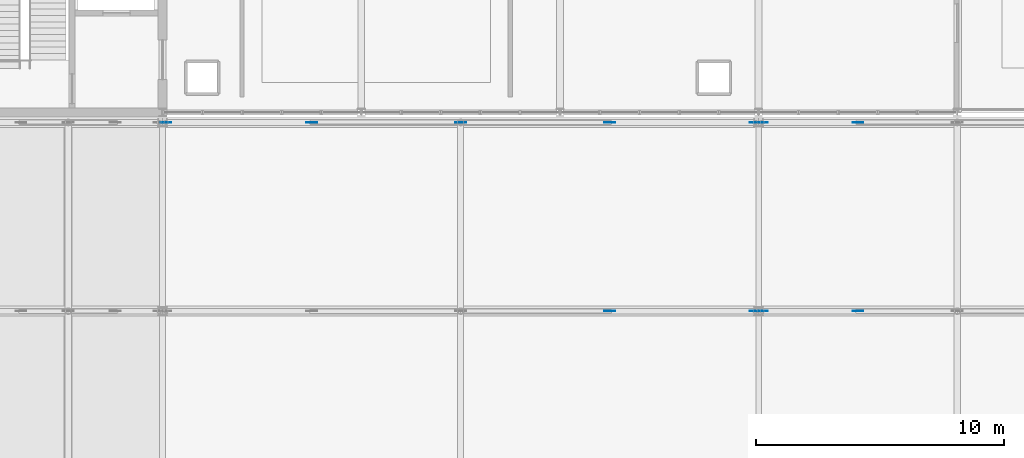
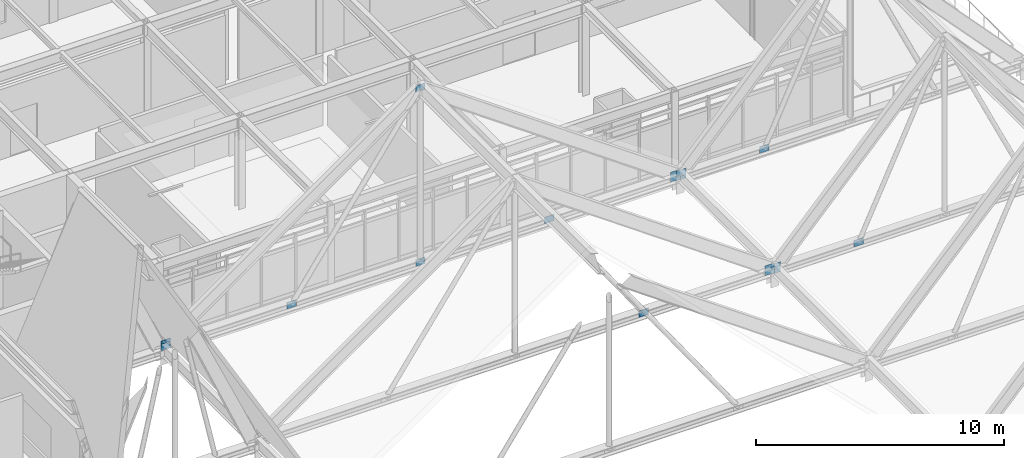
# One storey, part 80 of 100: 17 plates.
"""IFC4 building model written with IfcOpenShell, lengths in metres."""

from ifc_helpers import new_model, si_unit, direction, frame, origin, origin_2d, place, context, subcontext, project, spatial, rectangle, extrude, material, layer, layer_set, type_object, element, save


model = new_model("IFC4")

# Units and contexts
model_context = context("Model", 3, precision=1e-05, world=origin(), true_north=direction((0.0, 1.0)))
body_context = subcontext(model_context, "Body", "Model", "MODEL_VIEW")
ifc_project = project(units=[si_unit("LENGTHUNIT", "METRE"), si_unit("AREAUNIT", "SQUARE_METRE"), si_unit("VOLUMEUNIT", "CUBIC_METRE"), si_unit("PLANEANGLEUNIT", "RADIAN"), si_unit("MASSUNIT", "GRAM", prefix="KILO")], contexts=[model_context])

# Site, building, storey
site_placement = place(None, origin())
site = spatial("IfcSite", under=ifc_project, at=site_placement, CompositionType="ELEMENT")
building_placement = place(site_placement, origin())
building = spatial("IfcBuilding", under=site, at=building_placement, Name="Zulena Civic Courthouse", CompositionType="ELEMENT")
storey_placement = place(building_placement, frame((0.0, 0.0, 20.39990234375)))
storey = spatial("IfcBuildingStorey", under=building, at=storey_placement, Name="L04", CompositionType="ELEMENT", Elevation=20.39990234375)

# Plates
ifc_material = material(Name="Steel ASTM A572 Grade 50", Category="steel")
ifc_layer = layer(ifc_material, 0.02490234375)
ifc_layer_set = layer_set([ifc_layer], Name="Steel ASTM A572 Grade 50")
plate_type = type_object("IfcPlateType", Name="GussetPlate_440x320x25", PredefinedType="SHEET", material=ifc_layer_set)
for number, where, z_axis, x_axis, name in (
    (1, (155.860107421875, 22.800048828125, 0.37646484375), (0.0, 0.0, 1.0), (1.0, 0.0, 0.0), "plate:fd:postE:06:22.8:0"),
    (2, (155.860107421875, 22.800048828125, 0.53662109375), (0.0, 0.0, 1.0), (1.0, 0.0, 0.0), "plate:fd:postE:06:22.8:1"),
    (3, (150.0, 22.800048828125, 0.37646484375), (0.0, 0.0, 1.0), (1.0, 0.0, 0.0), "plate:fd:diagE:06:22.8:0"),
    (4, (132.139892578125, 30.39990234375, 0.37646484375), (0.0, 0.0, 1.0), (1.0, 0.0, 0.0), "plate:fd:postW:06:30.4:0"),
    (5, (132.139892578125, 30.39990234375, 0.53662109375), (0.0, 0.0, 1.0), (1.0, 0.0, 0.0), "plate:fd:postW:06:30.4:1"),
    (6, (155.860107421875, 30.39990234375, 0.37646484375), (0.0, 0.0, 1.0), (1.0, 0.0, 0.0), "plate:fd:postE:06:30.4:0"),
    (7, (155.860107421875, 30.39990234375, 0.53662109375), (0.0, 0.0, 1.0), (1.0, 0.0, 0.0), "plate:fd:postE:06:30.4:1"),
    (8, (144.0, 30.39990234375, 0.37646484375), (0.0, 0.0, 1.0), (1.0, 0.0, 0.0), "plate:fd:king:06:30.4:0"),
    (9, (144.0, 30.39990234375, 8.9365234375), (0.0, 0.0, 1.0), (1.0, 0.0, 0.0), "plate:fd:king:06:30.4:1"),
    (10, (138.0, 30.39990234375, 0.37646484375), (0.0, 0.0, 1.0), (1.0, 0.0, 0.0), "plate:fd:diagW:06:30.4:0"),
    (11, (150.0, 30.39990234375, 0.37646484375), (0.0, 0.0, 1.0), (1.0, 0.0, 0.0), "plate:fd:diagE:06:30.4:0"),
    (12, (156.139892578125, 22.800048828125, 0.33642578125), (0.0, 0.0, 1.0), (1.0, 0.0, 0.0), "plate:fd:postW:07:22.8:0"),
    (13, (156.139892578125, 22.800048828125, 0.49609375), (0.0, 0.0, 1.0), (1.0, 0.0, 0.0), "plate:fd:postW:07:22.8:1"),
    (14, (160.0, 22.800048828125, 0.33642578125), (0.0, 0.0, 1.0), (1.0, 0.0, 0.0), "plate:fd:diagW:07:22.8:0"),
    (15, (156.139892578125, 30.39990234375, 0.33642578125), (0.0, 0.0, 1.0), (1.0, 0.0, 0.0), "plate:fd:postW:07:30.4:0"),
    (16, (156.139892578125, 30.39990234375, 0.49609375), (0.0, 0.0, 1.0), (1.0, 0.0, 0.0), "plate:fd:postW:07:30.4:1"),
    (17, (160.0, 30.39990234375, 0.33642578125), (0.0, 0.0, 1.0), (1.0, 0.0, 0.0), "plate:fd:diagW:07:30.4:0"),
):
    element("IfcPlate", number, at=place(storey_placement, frame(where, z_axis=z_axis, x_axis=x_axis)), inside=storey, type_object=plate_type, Name=name, PredefinedType="SHEET", context=body_context, shape_type="SweptSolid", body=[
        extrude(rectangle(XDim=0.43994140625, YDim=0.02490234375, at=origin_2d()), origin(), (0.0, 0.0, 1.0), 0.320068359375),
    ])

save(model, "model.ifc")
